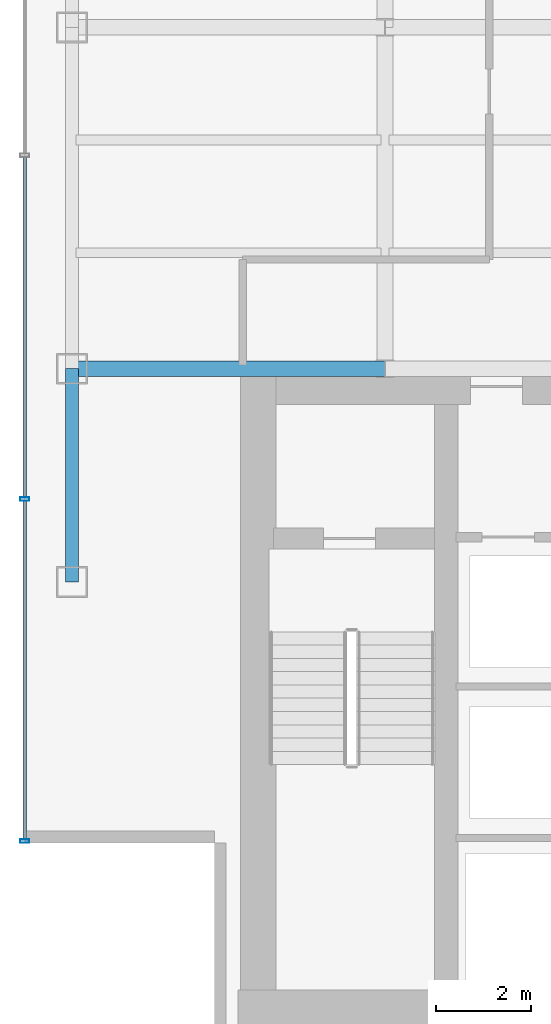
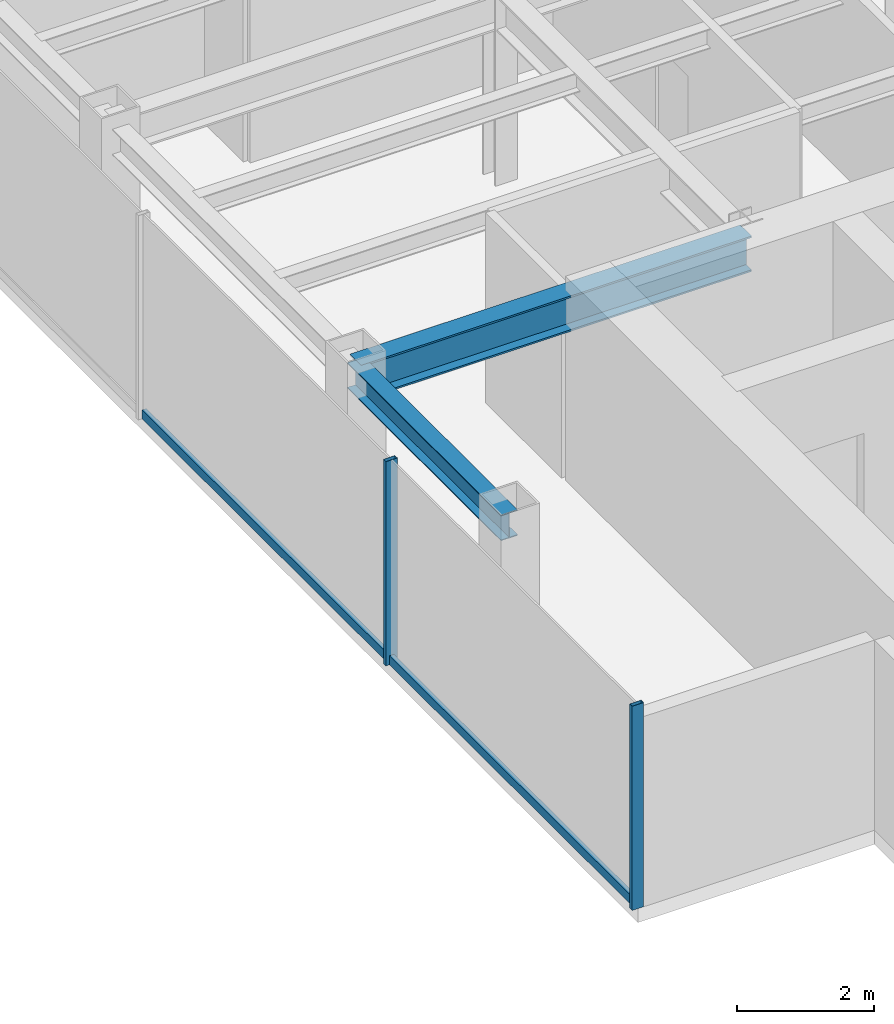
# One storey, part 3 of 23: 4 members, 2 beams, 1 element without a shape of its own.
"""IFC4 building model written with IfcOpenShell, lengths in metres."""

from ifc_helpers import new_model, si_unit, derived_unit, direction, frame, origin, origin_2d, place, context, subcontext, project, spatial, hollow_rectangle, i_section, extrude, source, transform, mapped, material, material_profile, profile_set, type_object, element, aggregate, save


model = new_model("IFC4")

# Units and contexts
model_context = context("Model", 3, precision=1e-05, world=origin(), true_north=direction((0.0, 1.0)))
body_context = subcontext(model_context, "Body", "Model", "MODEL_VIEW")
ifc_project = project(units=[si_unit("LENGTHUNIT", "METRE"), si_unit("AREAUNIT", "SQUARE_METRE"), si_unit("VOLUMEUNIT", "CUBIC_METRE"), si_unit("PLANEANGLEUNIT", "RADIAN"), si_unit("MASSUNIT", "GRAM", prefix="KILO"), derived_unit("THERMALTRANSMITTANCEUNIT", [(si_unit("POWERUNIT", "WATT"), 1), (si_unit("LENGTHUNIT", "METRE"), -2), (si_unit("THERMODYNAMICTEMPERATUREUNIT", "KELVIN"), -1)])], contexts=[model_context])

# Site, building, storey
site_placement = place(None, origin())
site = spatial("IfcSite", under=ifc_project, at=site_placement, CompositionType="ELEMENT")
building_placement = place(site_placement, origin())
building = spatial("IfcBuilding", under=site, at=building_placement, Name="Skarnbrae Concourse Arena and Tower", CompositionType="ELEMENT")
storey_placement = place(building_placement, frame((0.0, 0.0, 140.60009765625)))
storey = spatial("IfcBuildingStorey", under=building, at=storey_placement, Name="L35", CompositionType="ELEMENT", Elevation=140.60009765625)

# Beams
ifc_material_1 = material(Name="Steel CSA G40.21 350W", Category="steel")
ifc_material_profile_1 = material_profile(ifc_material_1, i_section(OverallWidth=0.3291015625, OverallDepth=0.635009765625, WebThickness=0.017822265625, FlangeThickness=0.031005859375, at=origin_2d()), Name="W610X241")
ifc_profile_set_1 = profile_set([ifc_material_profile_1], Name="Steel CSA G40.21 350W")
beam_type_1 = type_object("IfcBeamType", Name="BM-GIRD-W610X241", PredefinedType="BEAM", material=ifc_profile_set_1)
shared_shape_1 = source(origin(), body_context, "Body", "SweptSolid", [
    extrude(i_section(OverallWidth=0.3291015625, OverallDepth=0.635009765625, WebThickness=0.017822265625, FlangeThickness=0.031005859375, at=origin_2d()), origin(), (0.0, 0.0, 1.0), 6.60009765625),
])
beam_1_placement = place(storey_placement, frame((1.0, 14.0, 3.08251953125), z_axis=(1.0, 0.0, 0.0), x_axis=(0.0, 1.0, 0.0)))
element("IfcBeam", 1, at=beam_1_placement, inside=storey, type_object=beam_type_1, Name="L35 Primary E-W girder Y14.0-1", PredefinedType="BEAM", context=body_context, shape_type="MappedRepresentation", body=[
    mapped(shared_shape_1, transform((0.0, 0.0, 0.0))),
])
ifc_material_profile_2 = material_profile(ifc_material_1, i_section(OverallWidth=0.280029296875, OverallDepth=0.462890625, WebThickness=0.0107421875, FlangeThickness=0.017333984375, at=origin_2d()), Name="W460X113")
ifc_profile_set_2 = profile_set([ifc_material_profile_2], Name="Steel CSA G40.21 350W")
beam_type_2 = type_object("IfcBeamType", Name="BM-SPAN-W460X113", PredefinedType="SPANDREL", material=ifc_profile_set_2)
shared_shape_2 = source(origin(), body_context, "Body", "SweptSolid", [
    extrude(i_section(OverallWidth=0.280029296875, OverallDepth=0.462890625, WebThickness=0.0107421875, FlangeThickness=0.017333984375, at=origin_2d()), origin(), (0.0, 0.0, 1.0), 4.5),
])
beam_2_placement = place(storey_placement, frame((1.0, 9.5, 3.16845703125), z_axis=(0.0, 1.0, 0.0), x_axis=(-1.0, 0.0, 0.0)))
element("IfcBeam", 2, at=beam_2_placement, inside=storey, type_object=beam_type_2, Name="L35 Perimeter spandrel X1.0-1", PredefinedType="SPANDREL", context=body_context, shape_type="MappedRepresentation", body=[
    mapped(shared_shape_2, transform((0.0, 0.0, 0.0))),
])

# Curtain wall, members
ifc_material_2 = material(Name="Bronze anodised aluminium 6063-T6", Category="aluminium")
curtain_wall_type = type_object("IfcCurtainWallType", Name="CW-SYS-04-MIDZONE", PredefinedType="USERDEFINED", material=ifc_material_2)
curtain_wall_placement = place(storey_placement, origin())
curtain_wall = element("IfcCurtainWall", 3, at=curtain_wall_placement, inside=storey, type_object=curtain_wall_type, Name="L35 Unitised curtain wall CW-L35-E18", ObjectType="UNITISED CURTAIN WALL", PredefinedType="USERDEFINED")
ifc_material_profile_3 = material_profile(ifc_material_2, hollow_rectangle(XDim=0.074951171875, YDim=0.195068359375, WallThickness=0.00439453125, at=origin_2d()), Name="ALU-MULL-75X195")
ifc_profile_set_3 = profile_set([ifc_material_profile_3], Name="Bronze anodised aluminium 6063-T6")
member_type_1 = type_object("IfcMemberType", Name="CWM-CW-04", PredefinedType="MULLION", material=ifc_profile_set_3)
shared_shape_3 = source(origin(), body_context, "Body", "SweptSolid", [
    extrude(hollow_rectangle(XDim=0.074951171875, YDim=0.195068359375, WallThickness=0.00439453125, at=origin_2d()), origin(), (0.0, 0.0, 1.0), 3.64990234375),
])
member_1_placement = place(storey_placement, frame((0.0, 11.25, 0.0), z_axis=(0.0, 0.0, 1.0), x_axis=(0.0, -1.0, 0.0)))
member_1 = element("IfcMember", 4, at=member_1_placement, type_object=member_type_1, Name="CW-L35-E18 Mullion 4", PredefinedType="MULLION", context=body_context, shape_type="MappedRepresentation", body=[
    mapped(shared_shape_3, transform((0.0, 0.0, 0.0))),
])
member_2_placement = place(storey_placement, frame((0.0, 4.03759765625, 0.0), z_axis=(0.0, 0.0, 1.0), x_axis=(0.0, -1.0, 0.0)))
member_2 = element("IfcMember", 5, at=member_2_placement, type_object=member_type_1, Name="CW-L35-E18 Mullion 5", PredefinedType="MULLION", context=body_context, shape_type="MappedRepresentation", body=[
    mapped(shared_shape_3, transform((0.0, 0.0, 0.0))),
])
ifc_material_profile_4 = material_profile(ifc_material_2, hollow_rectangle(XDim=0.074951171875, YDim=0.159912109375, WallThickness=0.00439453125, at=origin_2d()), Name="ALU-TRAN-75X160")
ifc_profile_set_4 = profile_set([ifc_material_profile_4], Name="Bronze anodised aluminium 6063-T6")
member_type_2 = type_object("IfcMemberType", Name="CWT-CW-04", PredefinedType="USERDEFINED", material=ifc_profile_set_4)
shared_shape_4 = source(origin(), body_context, "Body", "SweptSolid", [
    extrude(hollow_rectangle(XDim=0.074951171875, YDim=0.159912109375, WallThickness=0.00439453125, at=origin_2d()), origin(), (0.0, 0.0, 1.0), 7.137451171875),
])
member_3_placement = place(storey_placement, frame((0.0, 11.21240234375, 0.079833984375), z_axis=(0.0, -1.0, 0.0), x_axis=(1.0, 0.0, 0.0)))
member_3 = element("IfcMember", 6, at=member_3_placement, type_object=member_type_2, Name="CW-L35-E18 Transom 4", ObjectType="TRANSOM", PredefinedType="USERDEFINED", context=body_context, shape_type="MappedRepresentation", body=[
    mapped(shared_shape_4, transform((0.0, 0.0, 0.0))),
])
shared_shape_5 = source(origin(), body_context, "Body", "SweptSolid", [
    extrude(hollow_rectangle(XDim=0.074951171875, YDim=0.159912109375, WallThickness=0.00439453125, at=origin_2d()), origin(), (0.0, 0.0, 1.0), 7.1748046875),
])
member_4_placement = place(storey_placement, frame((0.0, 18.46240234375, 0.079833984375), z_axis=(0.0, -1.0, 0.0), x_axis=(1.0, 0.0, 0.0)))
member_4 = element("IfcMember", 7, at=member_4_placement, type_object=member_type_2, Name="CW-L35-E18 Transom 3", ObjectType="TRANSOM", PredefinedType="USERDEFINED", context=body_context, shape_type="MappedRepresentation", body=[
    mapped(shared_shape_5, transform((0.0, 0.0, 0.0))),
])
aggregate(curtain_wall, [member_1, member_2, member_4, member_3])

save(model, "model.ifc")
